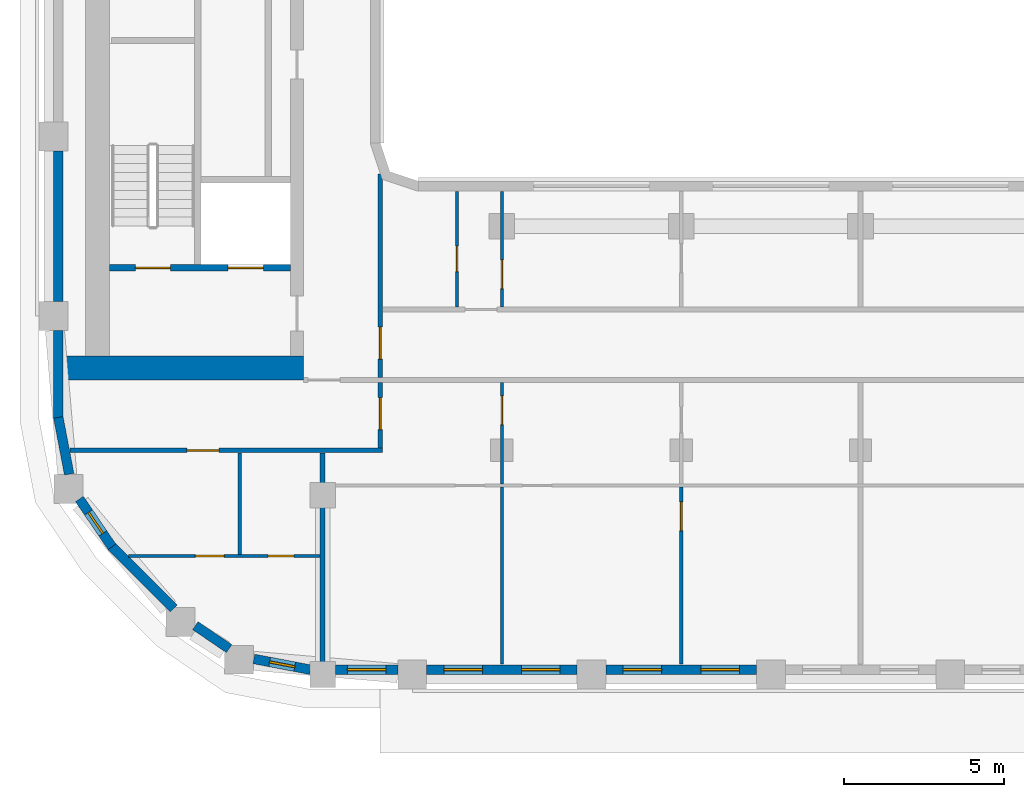
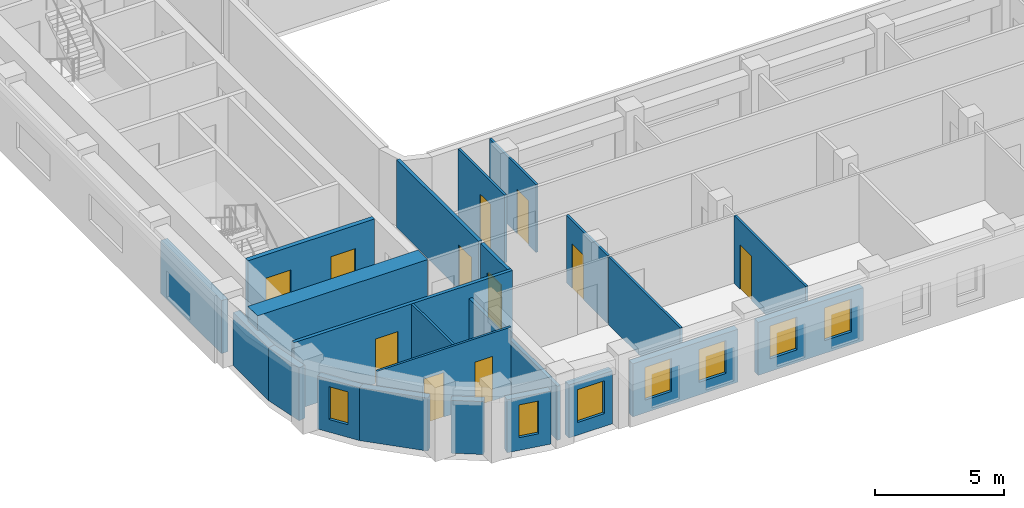
# One storey, part 2 of 21: 23 walls, 11 doors, 7 windows, 18 openings.
"""IFC4 building model written with IfcOpenShell, lengths in metres."""

from ifc_helpers import new_model, si_unit, direction, frame, frame_2d, origin, place, context, subcontext, project, spatial, rectangle, extrude, material, layer, layer_set, type_object, element, fill, save


model = new_model("IFC4")

# Units and contexts
model_context = context("Model", 3, precision=1e-05, world=origin(), true_north=direction((0.0, 1.0)))
body_context = subcontext(model_context, "Body", "Model", "MODEL_VIEW")
ifc_project = project(units=[si_unit("LENGTHUNIT", "METRE"), si_unit("AREAUNIT", "SQUARE_METRE"), si_unit("VOLUMEUNIT", "CUBIC_METRE"), si_unit("PLANEANGLEUNIT", "RADIAN"), si_unit("MASSUNIT", "GRAM", prefix="KILO")], contexts=[model_context])

# Site, building, storey
site_placement = place(None, origin())
site = spatial("IfcSite", under=ifc_project, at=site_placement, CompositionType="ELEMENT")
building_placement = place(site_placement, origin())
building = spatial("IfcBuilding", under=site, at=building_placement, Name="Kiln Ring Residences", CompositionType="ELEMENT")
storey_placement = place(building_placement, frame((0.0, 0.0, 199.39990234375)))
storey = spatial("IfcBuildingStorey", under=building, at=storey_placement, Name="L51", CompositionType="ELEMENT", Elevation=199.39990234375)

# Wall, openings, doors
ifc_material_1 = material(Name="Concrete C40/50", Category="concrete")
ifc_layer_1 = layer(ifc_material_1, 0.199951171875)
ifc_layer_set_1 = layer_set([ifc_layer_1], Name="CORE-WALL-RC200")
wall_type_1 = type_object("IfcWallType", Name="CORE-WALL-RC200", PredefinedType="SHEAR", material=ifc_layer_set_1)
wall_1_placement = place(storey_placement, frame((-17.800048828125, -9.699951171875, 0.0), z_axis=(0.0, 0.0, 1.0), x_axis=(-1.0, 0.0, 0.0)))
wall_1 = element("IfcWall", 1, at=wall_1_placement, inside=storey, type_object=wall_type_1, Name="Core wall west L51 8", PredefinedType="SHEAR", context=body_context, shape_type="SweptSolid", body=[
    extrude(rectangle(XDim=5.64990234375, YDim=0.199951171875, at=frame_2d((2.824951171875, 0.0))), origin(), (0.0, 0.0, 1.0), 3.2001953125),
])
opening_1_placement = place(wall_1_placement, frame((0.85009765625, 0.0, 0.0)))
opening_1 = element("IfcOpeningElement", 2, at=opening_1_placement, cuts=wall_1, Name="Opening L51-CW01", PredefinedType="OPENING", context=body_context, shape_type="SweptSolid", body=[
    extrude(rectangle(XDim=1.10009765625, YDim=2.10009765625, at=frame_2d((0.550048828125, 1.050048828125))), frame((0.0, 0.10986328125, 0.0), z_axis=(0.0, -1.0, 0.0), x_axis=(1.0, 0.0, 0.0)), (0.0, 0.0, 1.0), 0.219970703125),
])
opening_2_placement = place(wall_1_placement, frame((3.75, 0.0, 0.0)))
opening_2 = element("IfcOpeningElement", 3, at=opening_2_placement, cuts=wall_1, Name="Opening L51-CW10", PredefinedType="OPENING", context=body_context, shape_type="SweptSolid", body=[
    extrude(rectangle(XDim=1.10009765625, YDim=2.10009765625, at=frame_2d((0.550048828125, 1.050048828125))), frame((0.0, 0.10986328125, 0.0), z_axis=(0.0, -1.0, 0.0), x_axis=(1.0, 0.0, 0.0)), (0.0, 0.0, 1.0), 0.219970703125),
])
ifc_material_2 = material(Name="Steel door leaf", Category="steel")
door_type_1 = type_object("IfcDoorType", Name="CORE-DOOR-LD", OperationType="DOUBLE_DOOR_SLIDING", PredefinedType="DOOR", material=ifc_material_2)
door_1_placement = place(opening_1_placement, origin())
door_1 = element("IfcDoor", 4, at=door_1_placement, inside=storey, type_object=door_type_1, Name="LD W-SV L51-CW01", OperationType="DOUBLE_DOOR_SLIDING", OverallHeight=2.10009765625, OverallWidth=1.10009765625, PredefinedType="DOOR", context=body_context, shape_type="SweptSolid", body=[
    extrude(rectangle(XDim=1.10009765625, YDim=2.10009765625, at=frame_2d((0.550048828125, 1.050048828125))), frame((0.0, 0.02490234375, 0.0), z_axis=(0.0, -1.0, 0.0), x_axis=(1.0, 0.0, 0.0)), (0.0, 0.0, 1.0), 0.050048828125),
])
fill(opening_1, door_1)
ifc_material_3 = material(Name="Steel door leaf", Category="steel")
door_type_2 = type_object("IfcDoorType", Name="CORE-DOOR-STAIR", OperationType="SINGLE_SWING_LEFT", PredefinedType="DOOR", material=ifc_material_3)
door_2_placement = place(opening_2_placement, origin())
door_2 = element("IfcDoor", 5, at=door_2_placement, inside=storey, type_object=door_type_2, Name="Stair W-STS L51-CW10", OperationType="SINGLE_SWING_LEFT", OverallHeight=2.10009765625, OverallWidth=1.10009765625, PredefinedType="DOOR", context=body_context, shape_type="SweptSolid", body=[
    extrude(rectangle(XDim=1.10009765625, YDim=2.10009765625, at=frame_2d((0.550048828125, 1.050048828125))), frame((0.0, 0.02490234375, 0.0), z_axis=(0.0, -1.0, 0.0), x_axis=(1.0, 0.0, 0.0)), (0.0, 0.0, 1.0), 0.050048828125),
])
fill(opening_2, door_2)

# Walls
ifc_material_4 = material(Name="Concrete C60/75", Category="concrete")
ifc_layer_2 = layer(ifc_material_4, 0.75)
ifc_layer_set_2 = layer_set([ifc_layer_2], Name="CORE-WALL-RC750")
wall_type_2 = type_object("IfcWallType", Name="CORE-WALL-RC750", PredefinedType="SHEAR", material=ifc_layer_set_2)
wall_2_placement = place(storey_placement, frame((-17.39990234375, -12.824951171875, 0.0), z_axis=(0.0, 0.0, 1.0), x_axis=(-1.0, 0.0, 0.0)))
element("IfcWall", 6, at=wall_2_placement, inside=storey, type_object=wall_type_2, Name="Core wall west L51 5", PredefinedType="SHEAR", context=body_context, shape_type="SweptSolid", body=[
    extrude(rectangle(XDim=7.60009765625, YDim=0.75, at=frame_2d((3.800048828125, 0.0))), origin(), (0.0, 0.0, 1.0), 3.2001953125),
])
ifc_material_5 = material(Name="Brick masonry, dark clay brick", Category="masonry")
ifc_layer_3 = layer(ifc_material_5, 0.300048828125)
ifc_layer_set_3 = layer_set([ifc_layer_3], Name="EW-300 BRICK WALL")
wall_type_3 = type_object("IfcWallType", Name="EW-300 BRICK WALL", PredefinedType="SOLIDWALL", material=ifc_layer_set_3)
wall_3_placement = place(storey_placement, frame((-23.39697265625, -18.390869140625, 0.0), z_axis=(0.0, 0.0, 1.0), x_axis=(0.707106781187, -0.707106781187, 0.0)))
element("IfcWall", 7, at=wall_3_placement, inside=storey, type_object=wall_type_3, Name="Facade wall L51 1", PredefinedType="SOLIDWALL", context=body_context, shape_type="SweptSolid", body=[
    extrude(rectangle(XDim=2.75, YDim=0.300048828125, at=frame_2d((1.375, 0.0))), origin(), (0.0, 0.0, 1.0), 2.5),
])
wall_4_placement = place(storey_placement, frame((-20.775146484375, -20.876220703125, 0.0), z_axis=(0.0, 0.0, 1.0), x_axis=(0.827075824828, -0.562090366388, 0.0)))
element("IfcWall", 8, at=wall_4_placement, inside=storey, type_object=wall_type_3, Name="Facade wall L51 2", PredefinedType="SOLIDWALL", context=body_context, shape_type="SweptSolid", body=[
    extrude(rectangle(XDim=1.27685546875, YDim=0.300048828125, at=frame_2d((0.638427734375, 0.0))), origin(), (0.0, 0.0, 1.0), 2.5),
])

# Wall, opening, window
wall_5_placement = place(storey_placement, frame((-18.946044921875, -21.914306640625, 0.0), z_axis=(0.0, 0.0, 1.0), x_axis=(0.98230529033, -0.187286722942, 0.0)))
wall_5 = element("IfcWall", 9, at=wall_5_placement, inside=storey, type_object=wall_type_3, Name="Facade wall L51 3", PredefinedType="SOLIDWALL", context=body_context, shape_type="SweptSolid", body=[
    extrude(rectangle(XDim=1.798828125, YDim=0.300048828125, at=frame_2d((0.8994140625, 0.0))), origin(), (0.0, 0.0, 1.0), 2.5),
])
opening_3_placement = place(wall_5_placement, frame((0.49951171875, 0.0, 0.60009765625)))
opening_3 = element("IfcOpeningElement", 10, at=opening_3_placement, cuts=wall_5, Name="Opening W5", PredefinedType="OPENING", context=body_context, shape_type="SweptSolid", body=[
    extrude(rectangle(XDim=0.800048828125, YDim=1.550048828125, at=frame_2d((0.39990234375, 0.77490234375))), frame((0.0, 0.159912109375, 0.0), z_axis=(0.0, -1.0, 0.0), x_axis=(1.0, 0.0, 0.0)), (0.0, 0.0, 1.0), 0.320068359375),
])
ifc_material_6 = material(Name="Aluminium frame with double glazing", Category="aluminium")
window_type_1 = type_object("IfcWindowType", Name="WINDOW 800 x 1550", PartitioningType="SINGLE_PANEL", PredefinedType="WINDOW", material=ifc_material_6)
window_1_placement = place(opening_3_placement, origin())
window_1 = element("IfcWindow", 11, at=window_1_placement, inside=storey, type_object=window_type_1, Name="Window L51 1", OverallHeight=1.550048828125, OverallWidth=0.800048828125, PartitioningType="SINGLE_PANEL", PredefinedType="WINDOW", context=body_context, shape_type="SweptSolid", body=[
    extrude(rectangle(XDim=0.800048828125, YDim=1.550048828125, at=frame_2d((0.39990234375, 0.77490234375))), frame((0.0, 0.030029296875, 0.0), z_axis=(0.0, -1.0, 0.0), x_axis=(1.0, 0.0, 0.0)), (0.0, 0.0, 1.0), 0.06005859375),
])
fill(opening_3, window_1)

wall_6_placement = place(storey_placement, frame((-16.39990234375, -22.25, 0.0), z_axis=(0.0, 0.0, 1.0), x_axis=(1.0, 0.0, 0.0)))
wall_6 = element("IfcWall", 12, at=wall_6_placement, inside=storey, type_object=wall_type_3, Name="Facade wall L51 4", PredefinedType="SOLIDWALL", context=body_context, shape_type="SweptSolid", body=[
    extrude(rectangle(XDim=1.949951171875, YDim=0.300048828125, at=frame_2d((0.97509765625, 0.0))), origin(), (0.0, 0.0, 1.0), 2.5),
])
opening_4_placement = place(wall_6_placement, frame((0.375, 0.0, 0.60009765625)))
opening_4 = element("IfcOpeningElement", 13, at=opening_4_placement, cuts=wall_6, Name="Opening W1", PredefinedType="OPENING", context=body_context, shape_type="SweptSolid", body=[
    extrude(rectangle(XDim=1.199951171875, YDim=1.550048828125, at=frame_2d((0.60009765625, 0.77490234375))), frame((0.0, 0.159912109375, 0.0), z_axis=(0.0, -1.0, 0.0), x_axis=(1.0, 0.0, 0.0)), (0.0, 0.0, 1.0), 0.320068359375),
])
ifc_material_7 = material(Name="Aluminium frame with double glazing", Category="aluminium")
window_type_2 = type_object("IfcWindowType", Name="WINDOW 1200 x 1550", PartitioningType="SINGLE_PANEL", PredefinedType="WINDOW", material=ifc_material_7)
window_2_placement = place(opening_4_placement, origin())
window_2 = element("IfcWindow", 14, at=window_2_placement, inside=storey, type_object=window_type_2, Name="Window L51 2", OverallHeight=1.550048828125, OverallWidth=1.199951171875, PartitioningType="SINGLE_PANEL", PredefinedType="WINDOW", context=body_context, shape_type="SweptSolid", body=[
    extrude(rectangle(XDim=1.199951171875, YDim=1.550048828125, at=frame_2d((0.60009765625, 0.77490234375))), frame((0.0, 0.030029296875, 0.0), z_axis=(0.0, -1.0, 0.0), x_axis=(1.0, 0.0, 0.0)), (0.0, 0.0, 1.0), 0.06005859375),
])
fill(opening_4, window_2)

# Wall, openings, windows
wall_7_placement = place(storey_placement, frame((-13.550048828125, -22.25, 0.0), z_axis=(0.0, 0.0, 1.0), x_axis=(1.0, 0.0, 0.0)))
wall_7 = element("IfcWall", 15, at=wall_7_placement, inside=storey, type_object=wall_type_3, Name="Facade wall L51 5", PredefinedType="SOLIDWALL", context=body_context, shape_type="SweptSolid", body=[
    extrude(rectangle(XDim=4.699951171875, YDim=0.300048828125, at=frame_2d((2.35009765625, 0.0))), origin(), (0.0, 0.0, 1.0), 2.5),
])
opening_5_placement = place(wall_7_placement, frame((0.53759765625, 0.0, 0.60009765625)))
opening_5 = element("IfcOpeningElement", 16, at=opening_5_placement, cuts=wall_7, Name="Opening W1", PredefinedType="OPENING", context=body_context, shape_type="SweptSolid", body=[
    extrude(rectangle(XDim=1.199951171875, YDim=1.550048828125, at=frame_2d((0.60009765625, 0.77490234375))), frame((0.0, 0.159912109375, 0.0), z_axis=(0.0, -1.0, 0.0), x_axis=(1.0, 0.0, 0.0)), (0.0, 0.0, 1.0), 0.320068359375),
])
opening_6_placement = place(wall_7_placement, frame((2.96240234375, 0.0, 0.60009765625)))
opening_6 = element("IfcOpeningElement", 17, at=opening_6_placement, cuts=wall_7, Name="Opening W1", PredefinedType="OPENING", context=body_context, shape_type="SweptSolid", body=[
    extrude(rectangle(XDim=1.199951171875, YDim=1.550048828125, at=frame_2d((0.60009765625, 0.77490234375))), frame((0.0, 0.159912109375, 0.0), z_axis=(0.0, -1.0, 0.0), x_axis=(1.0, 0.0, 0.0)), (0.0, 0.0, 1.0), 0.320068359375),
])
window_3_placement = place(opening_5_placement, origin())
window_3 = element("IfcWindow", 18, at=window_3_placement, inside=storey, type_object=window_type_2, Name="Window L51 3", OverallHeight=1.550048828125, OverallWidth=1.199951171875, PartitioningType="SINGLE_PANEL", PredefinedType="WINDOW", context=body_context, shape_type="SweptSolid", body=[
    extrude(rectangle(XDim=1.199951171875, YDim=1.550048828125, at=frame_2d((0.60009765625, 0.77490234375))), frame((0.0, 0.030029296875, 0.0), z_axis=(0.0, -1.0, 0.0), x_axis=(1.0, 0.0, 0.0)), (0.0, 0.0, 1.0), 0.06005859375),
])
fill(opening_5, window_3)
window_4_placement = place(opening_6_placement, origin())
window_4 = element("IfcWindow", 19, at=window_4_placement, inside=storey, type_object=window_type_2, Name="Window L51 4", OverallHeight=1.550048828125, OverallWidth=1.199951171875, PartitioningType="SINGLE_PANEL", PredefinedType="WINDOW", context=body_context, shape_type="SweptSolid", body=[
    extrude(rectangle(XDim=1.199951171875, YDim=1.550048828125, at=frame_2d((0.60009765625, 0.77490234375))), frame((0.0, 0.030029296875, 0.0), z_axis=(0.0, -1.0, 0.0), x_axis=(1.0, 0.0, 0.0)), (0.0, 0.0, 1.0), 0.06005859375),
])
fill(opening_6, window_4)

wall_8_placement = place(storey_placement, frame((-7.949951171875, -22.25, 0.0), z_axis=(0.0, 0.0, 1.0), x_axis=(1.0, 0.0, 0.0)))
wall_8 = element("IfcWall", 20, at=wall_8_placement, inside=storey, type_object=wall_type_3, Name="Facade wall L51 6", PredefinedType="SOLIDWALL", context=body_context, shape_type="SweptSolid", body=[
    extrude(rectangle(XDim=4.699951171875, YDim=0.300048828125, at=frame_2d((2.35009765625, 0.0))), origin(), (0.0, 0.0, 1.0), 2.5),
])
opening_7_placement = place(wall_8_placement, frame((0.53759765625, 0.0, 0.60009765625)))
opening_7 = element("IfcOpeningElement", 21, at=opening_7_placement, cuts=wall_8, Name="Opening W1", PredefinedType="OPENING", context=body_context, shape_type="SweptSolid", body=[
    extrude(rectangle(XDim=1.199951171875, YDim=1.550048828125, at=frame_2d((0.60009765625, 0.77490234375))), frame((0.0, 0.159912109375, 0.0), z_axis=(0.0, -1.0, 0.0), x_axis=(1.0, 0.0, 0.0)), (0.0, 0.0, 1.0), 0.320068359375),
])
opening_8_placement = place(wall_8_placement, frame((2.96240234375, 0.0, 0.60009765625)))
opening_8 = element("IfcOpeningElement", 22, at=opening_8_placement, cuts=wall_8, Name="Opening W1", PredefinedType="OPENING", context=body_context, shape_type="SweptSolid", body=[
    extrude(rectangle(XDim=1.199951171875, YDim=1.550048828125, at=frame_2d((0.60009765625, 0.77490234375))), frame((0.0, 0.159912109375, 0.0), z_axis=(0.0, -1.0, 0.0), x_axis=(1.0, 0.0, 0.0)), (0.0, 0.0, 1.0), 0.320068359375),
])
window_5_placement = place(opening_7_placement, origin())
window_5 = element("IfcWindow", 23, at=window_5_placement, inside=storey, type_object=window_type_2, Name="Window L51 5", OverallHeight=1.550048828125, OverallWidth=1.199951171875, PartitioningType="SINGLE_PANEL", PredefinedType="WINDOW", context=body_context, shape_type="SweptSolid", body=[
    extrude(rectangle(XDim=1.199951171875, YDim=1.550048828125, at=frame_2d((0.60009765625, 0.77490234375))), frame((0.0, 0.030029296875, 0.0), z_axis=(0.0, -1.0, 0.0), x_axis=(1.0, 0.0, 0.0)), (0.0, 0.0, 1.0), 0.06005859375),
])
fill(opening_7, window_5)
window_6_placement = place(opening_8_placement, origin())
window_6 = element("IfcWindow", 24, at=window_6_placement, inside=storey, type_object=window_type_2, Name="Window L51 6", OverallHeight=1.550048828125, OverallWidth=1.199951171875, PartitioningType="SINGLE_PANEL", PredefinedType="WINDOW", context=body_context, shape_type="SweptSolid", body=[
    extrude(rectangle(XDim=1.199951171875, YDim=1.550048828125, at=frame_2d((0.60009765625, 0.77490234375))), frame((0.0, 0.030029296875, 0.0), z_axis=(0.0, -1.0, 0.0), x_axis=(1.0, 0.0, 0.0)), (0.0, 0.0, 1.0), 0.06005859375),
])
fill(opening_8, window_6)

# Walls
wall_9_placement = place(storey_placement, frame((-25.050048828125, -6.050048828125, 0.0), z_axis=(0.0, 0.0, 1.0), x_axis=(0.0, -1.0, 0.0)))
element("IfcWall", 25, at=wall_9_placement, inside=storey, type_object=wall_type_3, Name="Facade wall L51 43", PredefinedType="SOLIDWALL", context=body_context, shape_type="SweptSolid", body=[
    extrude(rectangle(XDim=4.699951171875, YDim=0.300048828125, at=frame_2d((2.35009765625, 0.0))), origin(), (0.0, 0.0, 1.0), 2.5),
])
wall_10_placement = place(storey_placement, frame((-25.050048828125, -11.64990234375, 0.0), z_axis=(0.0, 0.0, 1.0), x_axis=(0.0, -1.0, 0.0)))
element("IfcWall", 26, at=wall_10_placement, inside=storey, type_object=wall_type_3, Name="Facade wall L51 44", PredefinedType="SOLIDWALL", context=body_context, shape_type="SweptSolid", body=[
    extrude(rectangle(XDim=2.75, YDim=0.300048828125, at=frame_2d((1.375, 0.0))), origin(), (0.0, 0.0, 1.0), 2.5),
])
wall_11_placement = place(storey_placement, frame((-25.052734375, -14.371826171875, 0.0), z_axis=(0.0, 0.0, 1.0), x_axis=(0.187348135549, -0.982293579388, 0.0)))
element("IfcWall", 27, at=wall_11_placement, inside=storey, type_object=wall_type_3, Name="Facade wall L51 45", PredefinedType="SOLIDWALL", context=body_context, shape_type="SweptSolid", body=[
    extrude(rectangle(XDim=1.80615234375, YDim=0.300048828125, at=frame_2d((0.903076171875, 0.0))), origin(), (0.0, 0.0, 1.0), 2.5),
])

# Wall, opening, window
wall_12_placement = place(storey_placement, frame((-24.39404296875, -16.9189453125, 0.0), z_axis=(0.0, 0.0, 1.0), x_axis=(0.562040093569, -0.827109988588, 0.0)))
wall_12 = element("IfcWall", 28, at=wall_12_placement, inside=storey, type_object=wall_type_3, Name="Facade wall L51 46", PredefinedType="SOLIDWALL", context=body_context, shape_type="SweptSolid", body=[
    extrude(rectangle(XDim=1.80615234375, YDim=0.300048828125, at=frame_2d((0.903076171875, 0.0))), origin(), (0.0, 0.0, 1.0), 2.5),
])
opening_9_placement = place(wall_12_placement, frame((0.5029296875, 0.0, 0.60009765625)))
opening_9 = element("IfcOpeningElement", 29, at=opening_9_placement, cuts=wall_12, Name="Opening W5", PredefinedType="OPENING", context=body_context, shape_type="SweptSolid", body=[
    extrude(rectangle(XDim=0.800048828125, YDim=1.550048828125, at=frame_2d((0.39990234375, 0.77490234375))), frame((0.0, 0.159912109375, 0.0), z_axis=(0.0, -1.0, 0.0), x_axis=(1.0, 0.0, 0.0)), (0.0, 0.0, 1.0), 0.320068359375),
])
window_7_placement = place(opening_9_placement, origin())
window_7 = element("IfcWindow", 30, at=window_7_placement, inside=storey, type_object=window_type_1, Name="Window L51 34", OverallHeight=1.550048828125, OverallWidth=0.800048828125, PartitioningType="SINGLE_PANEL", PredefinedType="WINDOW", context=body_context, shape_type="SweptSolid", body=[
    extrude(rectangle(XDim=0.800048828125, YDim=1.550048828125, at=frame_2d((0.39990234375, 0.77490234375))), frame((0.0, 0.030029296875, 0.0), z_axis=(0.0, -1.0, 0.0), x_axis=(1.0, 0.0, 0.0)), (0.0, 0.0, 1.0), 0.06005859375),
])
fill(opening_9, window_7)

# Wall, openings, doors
ifc_material_8 = material(Name="Gypsum board on steel studs", Category="steel")
ifc_layer_4 = layer(ifc_material_8, 0.10009765625)
ifc_layer_set_4 = layer_set([ifc_layer_4], Name="PARTITION-100")
wall_type_4 = type_object("IfcWallType", Name="PARTITION-100", PredefinedType="PARTITIONING", material=ifc_layer_set_4)
wall_13_placement = place(storey_placement, frame((-22.855712890625, -18.699951171875, 0.0), z_axis=(0.0, 0.0, 1.0), x_axis=(1.0, 0.0, 0.0)))
wall_13 = element("IfcWall", 31, at=wall_13_placement, inside=storey, type_object=wall_type_4, Name="Partition 000", PredefinedType="PARTITIONING", context=body_context, shape_type="SweptSolid", body=[
    extrude(rectangle(XDim=5.980712890625, YDim=0.10009765625, at=frame_2d((2.990234375, 0.0))), origin(), (0.0, 0.0, 1.0), 3.2001953125),
])
opening_10_placement = place(wall_13_placement, frame((4.355712890625, 0.0, 0.0)))
opening_10 = element("IfcOpeningElement", 32, at=opening_10_placement, cuts=wall_13, Name="Opening L51-D061", PredefinedType="OPENING", context=body_context, shape_type="SweptSolid", body=[
    extrude(rectangle(XDim=0.800048828125, YDim=2.10009765625, at=frame_2d((0.39990234375, 1.050048828125))), frame((0.0, 0.06005859375, 0.0), z_axis=(0.0, -1.0, 0.0), x_axis=(1.0, 0.0, 0.0)), (0.0, 0.0, 1.0), 0.1201171875),
])
opening_11_placement = place(wall_13_placement, frame((2.083740234375, 0.0, 0.0)))
opening_11 = element("IfcOpeningElement", 33, at=opening_11_placement, cuts=wall_13, Name="Opening L51-D062", PredefinedType="OPENING", context=body_context, shape_type="SweptSolid", body=[
    extrude(rectangle(XDim=0.89990234375, YDim=2.10009765625, at=frame_2d((0.449951171875, 1.050048828125))), frame((0.0, 0.06005859375, 0.0), z_axis=(0.0, -1.0, 0.0), x_axis=(1.0, 0.0, 0.0)), (0.0, 0.0, 1.0), 0.1201171875),
])
ifc_material_9 = material(Name="Timber door leaf", Category="wood")
door_type_3 = type_object("IfcDoorType", Name="FLAT-DOOR-800-PL", OperationType="SINGLE_SWING_LEFT", PredefinedType="DOOR", material=ifc_material_9)
door_3_placement = place(opening_10_placement, origin())
door_3 = element("IfcDoor", 34, at=door_3_placement, inside=storey, type_object=door_type_3, Name="Door L51-D061", OperationType="SINGLE_SWING_LEFT", OverallHeight=2.10009765625, OverallWidth=0.800048828125, PredefinedType="DOOR", context=body_context, shape_type="SweptSolid", body=[
    extrude(rectangle(XDim=0.800048828125, YDim=2.10009765625, at=frame_2d((0.39990234375, 1.050048828125))), frame((0.0, 0.02490234375, 0.0), z_axis=(0.0, -1.0, 0.0), x_axis=(1.0, 0.0, 0.0)), (0.0, 0.0, 1.0), 0.050048828125),
])
fill(opening_10, door_3)
ifc_material_10 = material(Name="Timber door leaf", Category="wood")
door_type_4 = type_object("IfcDoorType", Name="FLAT-DOOR-900-PL", OperationType="SINGLE_SWING_LEFT", PredefinedType="DOOR", material=ifc_material_10)
door_4_placement = place(opening_11_placement, origin())
door_4 = element("IfcDoor", 35, at=door_4_placement, inside=storey, type_object=door_type_4, Name="Door L51-D062", OperationType="SINGLE_SWING_RIGHT", OverallHeight=2.10009765625, OverallWidth=0.89990234375, PredefinedType="DOOR", context=body_context, shape_type="SweptSolid", body=[
    extrude(rectangle(XDim=0.89990234375, YDim=2.10009765625, at=frame_2d((0.449951171875, 1.050048828125))), frame((0.0, 0.02490234375, 0.0), z_axis=(0.0, -1.0, 0.0), x_axis=(1.0, 0.0, 0.0)), (0.0, 0.0, 1.0), 0.050048828125),
])
fill(opening_11, door_4)

# Wall
wall_14_placement = place(storey_placement, frame((-19.389892578125, -18.64990234375, 0.0), z_axis=(0.0, 0.0, 1.0), x_axis=(0.0, 1.0, 0.0)))
element("IfcWall", 36, at=wall_14_placement, inside=storey, type_object=wall_type_4, Name="Partition 014", PredefinedType="PARTITIONING", context=body_context, shape_type="SweptSolid", body=[
    extrude(rectangle(XDim=3.1748046875, YDim=0.10009765625, at=frame_2d((1.58740234375, 0.0))), origin(), (0.0, 0.0, 1.0), 3.2001953125),
])

# Wall, opening, door
wall_15_placement = place(storey_placement, frame((-12.60009765625, -10.925048828125, 0.0), z_axis=(0.0, 0.0, 1.0), x_axis=(0.0, 1.0, 0.0)))
wall_15 = element("IfcWall", 37, at=wall_15_placement, inside=storey, type_object=wall_type_4, Name="Partition 023", PredefinedType="PARTITIONING", context=body_context, shape_type="SweptSolid", body=[
    extrude(rectangle(XDim=3.60498046875, YDim=0.10009765625, at=frame_2d((1.802490234375, 0.0))), origin(), (0.0, 0.0, 1.0), 3.2001953125),
])
opening_12_placement = place(wall_15_placement, frame((1.10498046875, 0.0, 0.0)))
opening_12 = element("IfcOpeningElement", 38, at=opening_12_placement, cuts=wall_15, Name="Opening L51-D038", PredefinedType="OPENING", context=body_context, shape_type="SweptSolid", body=[
    extrude(rectangle(XDim=0.800048828125, YDim=2.10009765625, at=frame_2d((0.39990234375, 1.050048828125))), frame((0.0, 0.06005859375, 0.0), z_axis=(0.0, -1.0, 0.0), x_axis=(1.0, 0.0, 0.0)), (0.0, 0.0, 1.0), 0.1201171875),
])
door_5_placement = place(opening_12_placement, origin())
door_5 = element("IfcDoor", 39, at=door_5_placement, inside=storey, type_object=door_type_3, Name="Door L51-D038", OperationType="SINGLE_SWING_RIGHT", OverallHeight=2.10009765625, OverallWidth=0.800048828125, PredefinedType="DOOR", context=body_context, shape_type="SweptSolid", body=[
    extrude(rectangle(XDim=0.800048828125, YDim=2.10009765625, at=frame_2d((0.39990234375, 1.050048828125))), frame((0.0, 0.02490234375, 0.0), z_axis=(0.0, -1.0, 0.0), x_axis=(1.0, 0.0, 0.0)), (0.0, 0.0, 1.0), 0.050048828125),
])
fill(opening_12, door_5)

# Wall
wall_16_placement = place(storey_placement, frame((-11.199951171875, -22.080078125, 0.0), z_axis=(0.0, 0.0, 1.0), x_axis=(0.0, 1.0, 0.0)))
element("IfcWall", 40, at=wall_16_placement, inside=storey, type_object=wall_type_4, Name="Partition 025", PredefinedType="PARTITIONING", context=body_context, shape_type="SweptSolid", body=[
    extrude(rectangle(XDim=5.530029296875, YDim=0.10009765625, at=frame_2d((2.76513671875, 0.0))), origin(), (0.0, 0.0, 1.0), 3.2001953125),
])

# Wall, opening, door
wall_17_placement = place(storey_placement, frame((-11.199951171875, -16.449951171875, 0.0), z_axis=(0.0, 0.0, 1.0), x_axis=(0.0, 1.0, 0.0)))
wall_17 = element("IfcWall", 41, at=wall_17_placement, inside=storey, type_object=wall_type_4, Name="Partition 026", PredefinedType="PARTITIONING", context=body_context, shape_type="SweptSolid", body=[
    extrude(rectangle(XDim=3.175048828125, YDim=0.10009765625, at=frame_2d((1.58740234375, 0.0))), origin(), (0.0, 0.0, 1.0), 3.2001953125),
])
opening_13_placement = place(wall_17_placement, frame((1.85009765625, 0.0, 0.0)))
opening_13 = element("IfcOpeningElement", 42, at=opening_13_placement, cuts=wall_17, Name="Opening L51-D046", PredefinedType="OPENING", context=body_context, shape_type="SweptSolid", body=[
    extrude(rectangle(XDim=0.89990234375, YDim=2.10009765625, at=frame_2d((0.449951171875, 1.050048828125))), frame((0.0, 0.06005859375, 0.0), z_axis=(0.0, -1.0, 0.0), x_axis=(1.0, 0.0, 0.0)), (0.0, 0.0, 1.0), 0.1201171875),
])
door_6_placement = place(opening_13_placement, origin())
door_6 = element("IfcDoor", 43, at=door_6_placement, inside=storey, type_object=door_type_4, Name="Door L51-D046", OperationType="SINGLE_SWING_RIGHT", OverallHeight=2.10009765625, OverallWidth=0.89990234375, PredefinedType="DOOR", context=body_context, shape_type="SweptSolid", body=[
    extrude(rectangle(XDim=0.89990234375, YDim=2.10009765625, at=frame_2d((0.449951171875, 1.050048828125))), frame((0.0, 0.02490234375, 0.0), z_axis=(0.0, -1.0, 0.0), x_axis=(1.0, 0.0, 0.0)), (0.0, 0.0, 1.0), 0.050048828125),
])
fill(opening_13, door_6)

wall_18_placement = place(storey_placement, frame((-11.199951171875, -10.925048828125, 0.0), z_axis=(0.0, 0.0, 1.0), x_axis=(0.0, 1.0, 0.0)))
wall_18 = element("IfcWall", 44, at=wall_18_placement, inside=storey, type_object=wall_type_4, Name="Partition 027", PredefinedType="PARTITIONING", context=body_context, shape_type="SweptSolid", body=[
    extrude(rectangle(XDim=3.60498046875, YDim=0.10009765625, at=frame_2d((1.802490234375, 0.0))), origin(), (0.0, 0.0, 1.0), 3.2001953125),
])
opening_14_placement = place(wall_18_placement, frame((0.575927734375, 0.0, 0.0)))
opening_14 = element("IfcOpeningElement", 45, at=opening_14_placement, cuts=wall_18, Name="Opening L51-D039", PredefinedType="OPENING", context=body_context, shape_type="SweptSolid", body=[
    extrude(rectangle(XDim=0.89990234375, YDim=2.10009765625, at=frame_2d((0.449951171875, 1.050048828125))), frame((0.0, 0.06005859375, 0.0), z_axis=(0.0, -1.0, 0.0), x_axis=(1.0, 0.0, 0.0)), (0.0, 0.0, 1.0), 0.1201171875),
])
door_7_placement = place(opening_14_placement, origin())
door_7 = element("IfcDoor", 46, at=door_7_placement, inside=storey, type_object=door_type_4, Name="Door L51-D039", OperationType="SINGLE_SWING_LEFT", OverallHeight=2.10009765625, OverallWidth=0.89990234375, PredefinedType="DOOR", context=body_context, shape_type="SweptSolid", body=[
    extrude(rectangle(XDim=0.89990234375, YDim=2.10009765625, at=frame_2d((0.449951171875, 1.050048828125))), frame((0.0, 0.02490234375, 0.0), z_axis=(0.0, -1.0, 0.0), x_axis=(1.0, 0.0, 0.0)), (0.0, 0.0, 1.0), 0.050048828125),
])
fill(opening_14, door_7)

wall_19_placement = place(storey_placement, frame((-5.60009765625, -22.080078125, 0.0), z_axis=(0.0, 0.0, 1.0), x_axis=(0.0, 1.0, 0.0)))
wall_19 = element("IfcWall", 47, at=wall_19_placement, inside=storey, type_object=wall_type_4, Name="Partition 031", PredefinedType="PARTITIONING", context=body_context, shape_type="SweptSolid", body=[
    extrude(rectangle(XDim=5.530029296875, YDim=0.10009765625, at=frame_2d((2.76513671875, 0.0))), origin(), (0.0, 0.0, 1.0), 3.2001953125),
])
opening_15_placement = place(wall_19_placement, frame((4.169921875, 0.0, 0.0)))
opening_15 = element("IfcOpeningElement", 48, at=opening_15_placement, cuts=wall_19, Name="Opening L51-D050", PredefinedType="OPENING", context=body_context, shape_type="SweptSolid", body=[
    extrude(rectangle(XDim=0.89990234375, YDim=2.10009765625, at=frame_2d((0.449951171875, 1.050048828125))), frame((0.0, 0.06005859375, 0.0), z_axis=(0.0, -1.0, 0.0), x_axis=(1.0, 0.0, 0.0)), (0.0, 0.0, 1.0), 0.1201171875),
])
door_8_placement = place(opening_15_placement, origin())
door_8 = element("IfcDoor", 49, at=door_8_placement, inside=storey, type_object=door_type_4, Name="Door L51-D050", OperationType="SINGLE_SWING_RIGHT", OverallHeight=2.10009765625, OverallWidth=0.89990234375, PredefinedType="DOOR", context=body_context, shape_type="SweptSolid", body=[
    extrude(rectangle(XDim=0.89990234375, YDim=2.10009765625, at=frame_2d((0.449951171875, 1.050048828125))), frame((0.0, 0.02490234375, 0.0), z_axis=(0.0, -1.0, 0.0), x_axis=(1.0, 0.0, 0.0)), (0.0, 0.0, 1.0), 0.050048828125),
])
fill(opening_15, door_8)

ifc_material_11 = material(Name="Brick masonry partition", Category="masonry")
ifc_layer_5 = layer(ifc_material_11, 0.14990234375)
ifc_layer_set_5 = layer_set([ifc_layer_5], Name="PARTITION-150-ei60")
wall_type_5 = type_object("IfcWallType", Name="PARTITION-150-ei60", PredefinedType="PARTITIONING", material=ifc_layer_set_5)
wall_20_placement = place(storey_placement, frame((-24.683837890625, -15.39990234375, 0.0), z_axis=(0.0, 0.0, 1.0), x_axis=(1.0, 0.0, 0.0)))
wall_20 = element("IfcWall", 50, at=wall_20_placement, inside=storey, type_object=wall_type_5, Name="Partition 003", PredefinedType="PARTITIONING", context=body_context, shape_type="SweptSolid", body=[
    extrude(rectangle(XDim=9.7587890625, YDim=0.14990234375, at=frame_2d((4.87939453125, 0.0))), origin(), (0.0, 0.0, 1.0), 3.2001953125),
])
opening_16_placement = place(wall_20_placement, frame((3.642822265625, 0.0, 0.0)))
opening_16 = element("IfcOpeningElement", 51, at=opening_16_placement, cuts=wall_20, Name="Opening L51-D060", PredefinedType="OPENING", context=body_context, shape_type="SweptSolid", body=[
    extrude(rectangle(XDim=1.0, YDim=2.10009765625, at=frame_2d((0.5, 1.050048828125))), frame((0.0, 0.0849609375, 0.0), z_axis=(0.0, -1.0, 0.0), x_axis=(1.0, 0.0, 0.0)), (0.0, 0.0, 1.0), 0.169921875),
])
ifc_material_12 = material(Name="Steel faced fire door leaf", Category="steel")
door_type_5 = type_object("IfcDoorType", Name="FLAT-DOOR-1000-FR", OperationType="SINGLE_SWING_LEFT", PredefinedType="DOOR", material=ifc_material_12)
door_9_placement = place(opening_16_placement, origin())
door_9 = element("IfcDoor", 52, at=door_9_placement, inside=storey, type_object=door_type_5, Name="Door L51-D060", OperationType="SINGLE_SWING_RIGHT", OverallHeight=2.10009765625, OverallWidth=1.0, PredefinedType="DOOR", context=body_context, shape_type="SweptSolid", body=[
    extrude(rectangle(XDim=1.0, YDim=2.10009765625, at=frame_2d((0.5, 1.050048828125))), frame((0.0, 0.02490234375, 0.0), z_axis=(0.0, -1.0, 0.0), x_axis=(1.0, 0.0, 0.0)), (0.0, 0.0, 1.0), 0.050048828125),
])
fill(opening_16, door_9)

# Wall
wall_21_placement = place(storey_placement, frame((-16.800048828125, -22.31005859375, 0.0), z_axis=(0.0, 0.0, 1.0), x_axis=(0.0, 1.0, 0.0)))
element("IfcWall", 53, at=wall_21_placement, inside=storey, type_object=wall_type_5, Name="Partition 016", PredefinedType="PARTITIONING", context=body_context, shape_type="SweptSolid", body=[
    extrude(rectangle(XDim=6.8349609375, YDim=0.14990234375, at=frame_2d((3.41748046875, 0.0))), origin(), (0.0, 0.0, 1.0), 2.550048828125),
])

# Wall, opening, door
wall_22_placement = place(storey_placement, frame((-15.0, -15.324951171875, 0.0), z_axis=(0.0, 0.0, 1.0), x_axis=(0.0, 1.0, 0.0)))
wall_22 = element("IfcWall", 54, at=wall_22_placement, inside=storey, type_object=wall_type_5, Name="Partition 018", PredefinedType="PARTITIONING", context=body_context, shape_type="SweptSolid", body=[
    extrude(rectangle(XDim=2.050048828125, YDim=0.14990234375, at=frame_2d((1.02490234375, 0.0))), origin(), (0.0, 0.0, 1.0), 3.2001953125),
])
opening_17_placement = place(wall_22_placement, frame((0.573974609375, 0.0, 0.0)))
opening_17 = element("IfcOpeningElement", 55, at=opening_17_placement, cuts=wall_22, Name="Opening L51-D045", PredefinedType="OPENING", context=body_context, shape_type="SweptSolid", body=[
    extrude(rectangle(XDim=1.0, YDim=2.10009765625, at=frame_2d((0.5, 1.050048828125))), frame((0.0, 0.0849609375, 0.0), z_axis=(0.0, -1.0, 0.0), x_axis=(1.0, 0.0, 0.0)), (0.0, 0.0, 1.0), 0.169921875),
])
door_10_placement = place(opening_17_placement, origin())
door_10 = element("IfcDoor", 56, at=door_10_placement, inside=storey, type_object=door_type_5, Name="Door L51-D045", OperationType="SINGLE_SWING_LEFT", OverallHeight=2.10009765625, OverallWidth=1.0, PredefinedType="DOOR", context=body_context, shape_type="SweptSolid", body=[
    extrude(rectangle(XDim=1.0, YDim=2.10009765625, at=frame_2d((0.5, 1.050048828125))), frame((0.0, 0.02490234375, 0.0), z_axis=(0.0, -1.0, 0.0), x_axis=(1.0, 0.0, 0.0)), (0.0, 0.0, 1.0), 0.050048828125),
])
fill(opening_17, door_10)

wall_23_placement = place(storey_placement, frame((-15.0, -13.125, 0.0), z_axis=(0.0, 0.0, 1.0), x_axis=(0.0, 1.0, 0.0)))
wall_23 = element("IfcWall", 57, at=wall_23_placement, inside=storey, type_object=wall_type_5, Name="Partition 019", PredefinedType="PARTITIONING", context=body_context, shape_type="SweptSolid", body=[
    extrude(rectangle(XDim=6.356201171875, YDim=0.14990234375, at=frame_2d((3.17822265625, 0.0))), origin(), (0.0, 0.0, 1.0), 3.2001953125),
])
opening_18_placement = place(wall_23_placement, frame((0.574951171875, 0.0, 0.0)))
opening_18 = element("IfcOpeningElement", 58, at=opening_18_placement, cuts=wall_23, Name="Opening L51-D005", PredefinedType="OPENING", context=body_context, shape_type="SweptSolid", body=[
    extrude(rectangle(XDim=1.0, YDim=2.10009765625, at=frame_2d((0.5, 1.050048828125))), frame((0.0, 0.0849609375, 0.0), z_axis=(0.0, -1.0, 0.0), x_axis=(1.0, 0.0, 0.0)), (0.0, 0.0, 1.0), 0.169921875),
])
door_11_placement = place(opening_18_placement, origin())
door_11 = element("IfcDoor", 59, at=door_11_placement, inside=storey, type_object=door_type_5, Name="Door L51-D005", OperationType="SINGLE_SWING_RIGHT", OverallHeight=2.10009765625, OverallWidth=1.0, PredefinedType="DOOR", context=body_context, shape_type="SweptSolid", body=[
    extrude(rectangle(XDim=1.0, YDim=2.10009765625, at=frame_2d((0.5, 1.050048828125))), frame((0.0, 0.02490234375, 0.0), z_axis=(0.0, -1.0, 0.0), x_axis=(1.0, 0.0, 0.0)), (0.0, 0.0, 1.0), 0.050048828125),
])
fill(opening_18, door_11)

save(model, "model.ifc")
